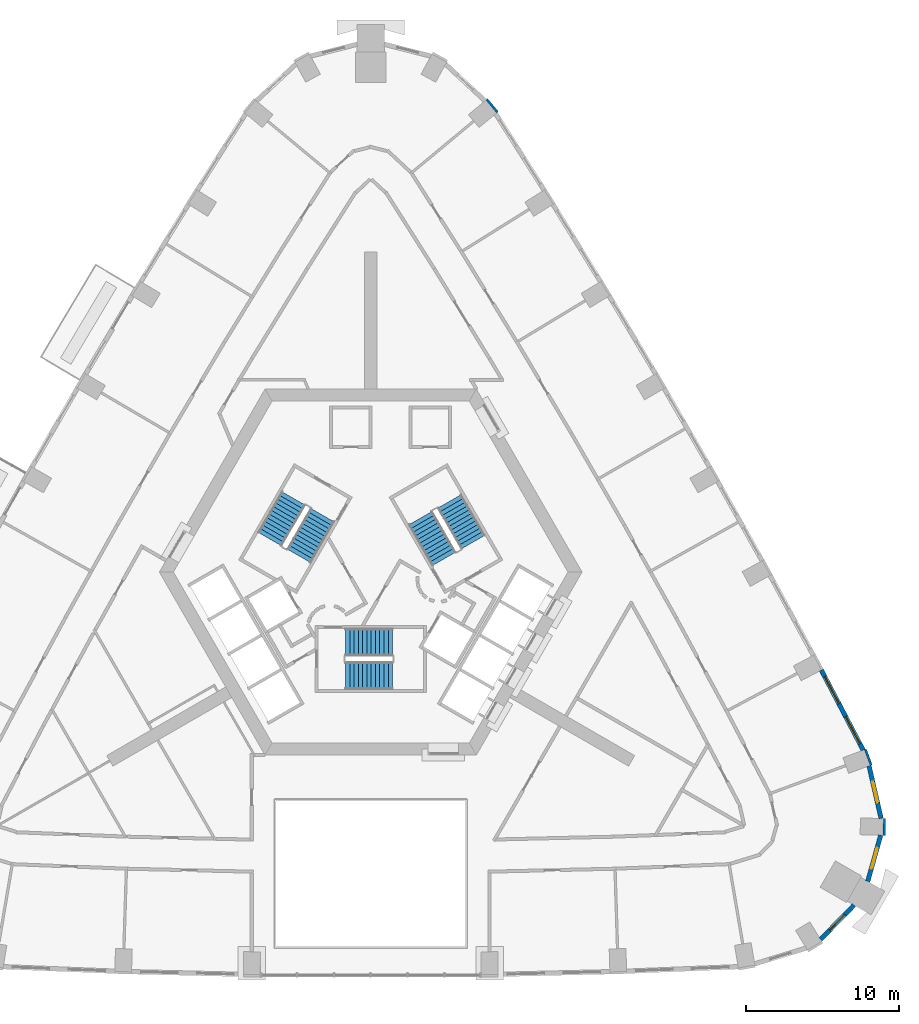
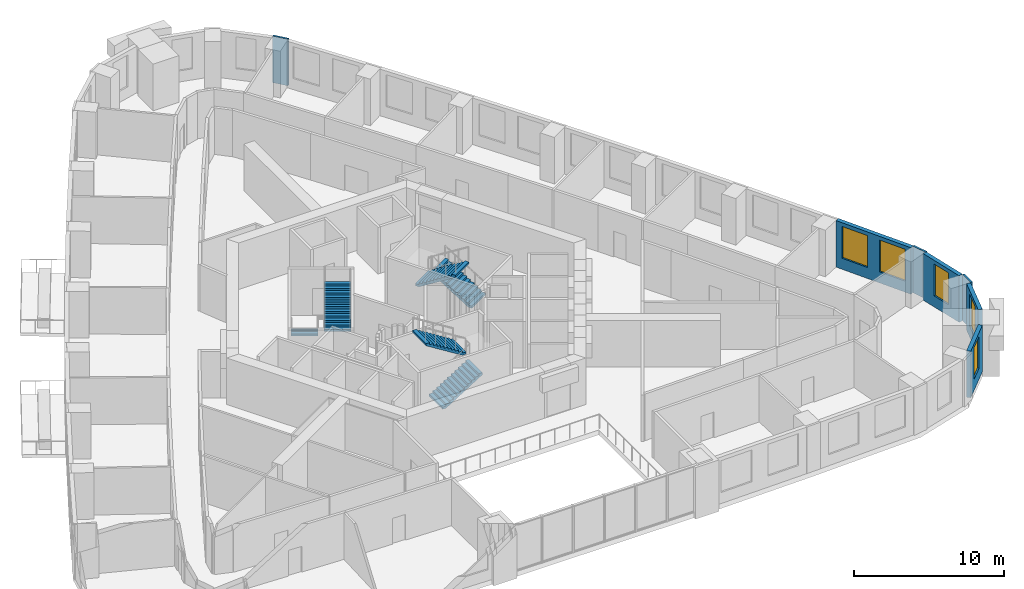
# One storey, part 11 of 14: 7 walls, 6 stair flights, 5 windows, 5 openings, 3 elements without a shape of their own.
"""IFC4 building model written with IfcOpenShell, lengths in metres."""

from ifc_helpers import new_model, si_unit, direction, frame, frame_2d, origin, place, context, subcontext, project, spatial, polyline, rectangle, outline, extrude, material, layer, layer_set, type_object, element, fill, aggregate, save


model = new_model("IFC4")

# Units and contexts
model_context = context("Model", 3, precision=1e-05, world=origin(), true_north=direction((0.0, 1.0)))
body_context = subcontext(model_context, "Body", "Model", "MODEL_VIEW")
ifc_project = project(units=[si_unit("LENGTHUNIT", "METRE"), si_unit("AREAUNIT", "SQUARE_METRE"), si_unit("VOLUMEUNIT", "CUBIC_METRE"), si_unit("PLANEANGLEUNIT", "RADIAN"), si_unit("MASSUNIT", "GRAM", prefix="KILO")], contexts=[model_context])

# Site, building, storey
site_placement = place(None, origin())
site = spatial("IfcSite", under=ifc_project, at=site_placement, CompositionType="ELEMENT")
building_placement = place(site_placement, origin())
building = spatial("IfcBuilding", under=site, at=building_placement, Name="Entoto Arch Interchange Tower", CompositionType="ELEMENT")
storey_placement = place(building_placement, frame((0.0, 0.0, 146.60009765625)))
storey = spatial("IfcBuildingStorey", under=building, at=storey_placement, Name="L32", CompositionType="ELEMENT", Elevation=146.60009765625)

# Wall, opening, window
ifc_material_1 = material(Name="Welded tuff (ignimbrite) cladding, warm buff", Category="masonry")
ifc_layer_1 = layer(ifc_material_1, 0.300048828125)
ifc_layer_set_1 = layer_set([ifc_layer_1], Name="Welded tuff (ignimbrite) cladding, warm buff")
wall_type_1 = type_object("IfcWallType", Name="STONE INFILL WALL 300", PredefinedType="STANDARD", material=ifc_layer_set_1)
wall_1_placement = place(storey_placement, frame((29.490966796875, -21.58203125, 0.0), z_axis=(0.0, 0.0, 1.0), x_axis=(0.698633260198, 0.715479956215, 0.0)))
wall_1 = element("IfcWall", 1, at=wall_1_placement, inside=storey, type_object=wall_type_1, Name="Facade wall SE-02 L32", PredefinedType="STANDARD", context=body_context, shape_type="SweptSolid", body=[
    extrude(rectangle(XDim=3.144775390625, YDim=0.300048828125, at=frame_2d((1.572265625, 0.0))), origin(), (0.0, 0.0, 1.0), 3.7998046875),
])
opening_1_placement = place(wall_1_placement, frame((0.8720703125, 0.0, 0.89990234375)))
opening_1 = element("IfcOpeningElement", 2, at=opening_1_placement, cuts=wall_1, Name="Opening WO-B", PredefinedType="OPENING", context=body_context, shape_type="SweptSolid", body=[
    extrude(rectangle(XDim=1.39990234375, YDim=2.60009765625, at=frame_2d((0.699951171875, 1.300048828125))), frame((0.0, 0.16015625, 0.0), z_axis=(0.0, -1.0, 0.0), x_axis=(1.0, 0.0, 0.0)), (0.0, 0.0, 1.0), 0.320068359375),
])
ifc_material_2 = material(Name="Clear glass, low-e double glazed", Category="glass")
window_type_1 = type_object("IfcWindowType", Name="WINDOW WO-B 1400x2600", PartitioningType="DOUBLE_PANEL_VERTICAL", PredefinedType="WINDOW", material=ifc_material_2)
window_1_placement = place(opening_1_placement, origin())
window_1 = element("IfcWindow", 3, at=window_1_placement, inside=storey, type_object=window_type_1, Name="Window WO-B SE-02 L32", OverallHeight=2.60009765625, OverallWidth=1.39990234375, PartitioningType="SINGLE_PANEL", PredefinedType="WINDOW", context=body_context, shape_type="SweptSolid", body=[
    extrude(rectangle(XDim=1.39990234375, YDim=2.60009765625, at=frame_2d((0.699951171875, 1.300048828125))), frame((0.0, 0.030029296875, 0.0), z_axis=(0.0, -1.0, 0.0), x_axis=(1.0, 0.0, 0.0)), (0.0, 0.0, 1.0), 0.06005859375),
])
fill(opening_1, window_1)

wall_2_placement = place(storey_placement, frame((32.5869140625, -17.77490234375, 0.0), z_axis=(0.0, 0.0, 1.0), x_axis=(0.270471130801, 0.962728085912, 0.0)))
wall_2 = element("IfcWall", 4, at=wall_2_placement, inside=storey, type_object=wall_type_1, Name="Facade wall SE-03 L32", PredefinedType="STANDARD", context=body_context, shape_type="SweptSolid", body=[
    extrude(rectangle(XDim=3.14306640625, YDim=0.300048828125, at=frame_2d((1.571533203125, 0.0))), origin(), (0.0, 0.0, 1.0), 3.7998046875),
])
opening_2_placement = place(wall_2_placement, frame((0.8720703125, 0.0, 0.89990234375)))
opening_2 = element("IfcOpeningElement", 5, at=opening_2_placement, cuts=wall_2, Name="Opening WO-B", PredefinedType="OPENING", context=body_context, shape_type="SweptSolid", body=[
    extrude(rectangle(XDim=1.39990234375, YDim=2.60009765625, at=frame_2d((0.699951171875, 1.300048828125))), frame((0.0, 0.16015625, 0.0), z_axis=(0.0, -1.0, 0.0), x_axis=(1.0, 0.0, 0.0)), (0.0, 0.0, 1.0), 0.320068359375),
])
window_2_placement = place(opening_2_placement, origin())
window_2 = element("IfcWindow", 6, at=window_2_placement, inside=storey, type_object=window_type_1, Name="Window WO-B SE-03 L32", OverallHeight=2.60009765625, OverallWidth=1.39990234375, PartitioningType="SINGLE_PANEL", PredefinedType="WINDOW", context=body_context, shape_type="SweptSolid", body=[
    extrude(rectangle(XDim=1.39990234375, YDim=2.60009765625, at=frame_2d((0.699951171875, 1.300048828125))), frame((0.0, 0.030029296875, 0.0), z_axis=(0.0, -1.0, 0.0), x_axis=(1.0, 0.0, 0.0)), (0.0, 0.0, 1.0), 0.06005859375),
])
fill(opening_2, window_2)

wall_3_placement = place(storey_placement, frame((33.462890625, -13.65087890625, 0.0), z_axis=(0.0, 0.0, 1.0), x_axis=(-0.223538714932, 0.974695051247, 0.0)))
wall_3 = element("IfcWall", 7, at=wall_3_placement, inside=storey, type_object=wall_type_1, Name="Facade wall SE-04 L32", PredefinedType="STANDARD", context=body_context, shape_type="SweptSolid", body=[
    extrude(rectangle(XDim=3.53759765625, YDim=0.300048828125, at=frame_2d((1.768798828125, 0.0))), origin(), (0.0, 0.0, 1.0), 3.7998046875),
])
opening_3_placement = place(wall_3_placement, frame((1.069091796875, 0.0, 0.89990234375)))
opening_3 = element("IfcOpeningElement", 8, at=opening_3_placement, cuts=wall_3, Name="Opening WO-B", PredefinedType="OPENING", context=body_context, shape_type="SweptSolid", body=[
    extrude(rectangle(XDim=1.39990234375, YDim=2.60009765625, at=frame_2d((0.699951171875, 1.300048828125))), frame((0.0, 0.16015625, 0.0), z_axis=(0.0, -1.0, 0.0), x_axis=(1.0, 0.0, 0.0)), (0.0, 0.0, 1.0), 0.320068359375),
])
window_3_placement = place(opening_3_placement, origin())
window_3 = element("IfcWindow", 9, at=window_3_placement, inside=storey, type_object=window_type_1, Name="Window WO-B SE-04 L32", OverallHeight=2.60009765625, OverallWidth=1.39990234375, PartitioningType="SINGLE_PANEL", PredefinedType="WINDOW", context=body_context, shape_type="SweptSolid", body=[
    extrude(rectangle(XDim=1.39990234375, YDim=2.60009765625, at=frame_2d((0.699951171875, 1.300048828125))), frame((0.0, 0.030029296875, 0.0), z_axis=(0.0, -1.0, 0.0), x_axis=(1.0, 0.0, 0.0)), (0.0, 0.0, 1.0), 0.06005859375),
])
fill(opening_3, window_3)

# Wall, openings, windows
wall_4_placement = place(storey_placement, frame((32.291015625, -9.173095703125, 0.0), z_axis=(0.0, 0.0, 1.0), x_axis=(-0.463809970306, 0.885934710599, 0.0)))
wall_4 = element("IfcWall", 10, at=wall_4_placement, inside=storey, type_object=wall_type_1, Name="Facade wall NE-01 L32", PredefinedType="STANDARD", context=body_context, shape_type="SweptSolid", body=[
    extrude(rectangle(XDim=5.927001953125, YDim=0.300048828125, at=frame_2d((2.96337890625, 0.0))), origin(), (0.0, 0.0, 1.0), 3.7998046875),
])
opening_4_placement = place(wall_4_placement, frame((0.48193359375, 0.0, 0.89990234375)))
opening_4 = element("IfcOpeningElement", 11, at=opening_4_placement, cuts=wall_4, Name="Opening WO-C", PredefinedType="OPENING", context=body_context, shape_type="SweptSolid", body=[
    extrude(rectangle(XDim=2.0, YDim=2.60009765625, at=frame_2d((1.0, 1.300048828125))), frame((0.0, 0.16015625, 0.0), z_axis=(0.0, -1.0, 0.0), x_axis=(1.0, 0.0, 0.0)), (0.0, 0.0, 1.0), 0.320068359375),
])
opening_5_placement = place(wall_4_placement, frame((3.445068359375, 0.0, 0.89990234375)))
opening_5 = element("IfcOpeningElement", 12, at=opening_5_placement, cuts=wall_4, Name="Opening WO-C", PredefinedType="OPENING", context=body_context, shape_type="SweptSolid", body=[
    extrude(rectangle(XDim=2.0, YDim=2.60009765625, at=frame_2d((1.0, 1.300048828125))), frame((0.0, 0.16015625, 0.0), z_axis=(0.0, -1.0, 0.0), x_axis=(1.0, 0.0, 0.0)), (0.0, 0.0, 1.0), 0.320068359375),
])
window_type_2 = type_object("IfcWindowType", Name="WINDOW WO-C 2000x2600", PartitioningType="DOUBLE_PANEL_VERTICAL", PredefinedType="WINDOW", material=ifc_material_2)
window_4_placement = place(opening_4_placement, origin())
window_4 = element("IfcWindow", 13, at=window_4_placement, inside=storey, type_object=window_type_2, Name="Window WO-C NE-01 L32", OverallHeight=2.60009765625, OverallWidth=2.0, PartitioningType="SINGLE_PANEL", PredefinedType="WINDOW", context=body_context, shape_type="SweptSolid", body=[
    extrude(rectangle(XDim=2.0, YDim=2.60009765625, at=frame_2d((1.0, 1.300048828125))), frame((0.0, 0.030029296875, 0.0), z_axis=(0.0, -1.0, 0.0), x_axis=(1.0, 0.0, 0.0)), (0.0, 0.0, 1.0), 0.06005859375),
])
fill(opening_4, window_4)
window_5_placement = place(opening_5_placement, origin())
window_5 = element("IfcWindow", 14, at=window_5_placement, inside=storey, type_object=window_type_2, Name="Window WO-C NE-01 L32", OverallHeight=2.60009765625, OverallWidth=2.0, PartitioningType="SINGLE_PANEL", PredefinedType="WINDOW", context=body_context, shape_type="SweptSolid", body=[
    extrude(rectangle(XDim=2.0, YDim=2.60009765625, at=frame_2d((1.0, 1.300048828125))), frame((0.0, 0.030029296875, 0.0), z_axis=(0.0, -1.0, 0.0), x_axis=(1.0, 0.0, 0.0)), (0.0, 0.0, 1.0), 0.06005859375),
])
fill(opening_5, window_5)

# Walls
ifc_layer_2 = layer(ifc_material_1, 0.14990234375)
ifc_layer_set_2 = layer_set([ifc_layer_2], Name="Welded tuff (ignimbrite) cladding, warm buff")
wall_type_2 = type_object("IfcWallType", Name="STONE PIER CLADDING 150", PredefinedType="STANDARD", material=ifc_layer_set_2)
wall_5_placement = place(storey_placement, frame((32.81005859375, -10.153076171875, 0.0), z_axis=(0.0, 0.0, 1.0), x_axis=(-0.346425160624, 0.93807761304, 0.0)))
element("IfcWall", 15, at=wall_5_placement, inside=storey, type_object=wall_type_2, Name="Stone pier NE01 L32", PredefinedType="STANDARD", context=body_context, shape_type="SweptSolid", body=[
    extrude(rectangle(XDim=1.10009765625, YDim=0.14990234375, at=frame_2d((0.550048828125, 0.0))), origin(), (0.0, 0.0, 1.0), 3.7998046875),
])
wall_6_placement = place(storey_placement, frame((8.31494140625, 32.64501953125, 0.0), z_axis=(0.0, 0.0, 1.0), x_axis=(-0.639070205934, 0.769148406933, 0.0)))
element("IfcWall", 16, at=wall_6_placement, inside=storey, type_object=wall_type_2, Name="Stone pier NE08 L32", PredefinedType="STANDARD", context=body_context, shape_type="SweptSolid", body=[
    extrude(rectangle(XDim=1.099853515625, YDim=0.14990234375, at=frame_2d((0.5498046875, 0.0))), origin(), (0.0, 0.0, 1.0), 3.7998046875),
])
wall_7_placement = place(storey_placement, frame((33.656982421875, -14.7548828125, 0.0), z_axis=(0.0, 0.0, 1.0), x_axis=(0.023744690764, 0.999718055084, 0.0)))
element("IfcWall", 17, at=wall_7_placement, inside=storey, type_object=wall_type_2, Name="Stone pier SE3 L32", PredefinedType="STANDARD", context=body_context, shape_type="SweptSolid", body=[
    extrude(rectangle(XDim=1.10009765625, YDim=0.14990234375, at=frame_2d((0.550048828125, 0.0))), origin(), (0.0, 0.0, 1.0), 3.7998046875),
])

# Stair, stair flights
ifc_material_3 = material(Name="Concrete C40/50", Category="concrete")
stair_type = type_object("IfcStairType", Name="EXIT STAIR RC 1800", PredefinedType="HALF_TURN_STAIR", material=ifc_material_3)
stair_1_placement = place(storey_placement, origin())
stair_1 = element("IfcStair", 18, at=stair_1_placement, inside=storey, type_object=stair_type, Name="L32 Exit stair S", PredefinedType="HALF_TURN_STAIR")
stair_flight_type = type_object("IfcStairFlightType", Name="EXIT STAIR FLIGHT RC 1800", PredefinedType="STRAIGHT", material=ifc_material_3)
stair_flight_1_placement = place(storey_placement, frame((-1.64990234375, -4.300048828125, 0.0), z_axis=(0.0, 0.0, 1.0), x_axis=(1.0, 0.0, 0.0)))
stair_flight_1 = element("IfcStairFlight", 19, at=stair_flight_1_placement, type_object=stair_flight_type, Name="ST-S flight 1", NumberOfRisers=12, NumberOfTreads=11, PredefinedType="STRAIGHT", RiserHeight=0.175, TreadLength=0.28, context=body_context, shape_type="SweptSolid", body=[
    extrude(outline(polyline([(-0.0029296875, 0.0), (-0.0029296875, 0.175048828125), (0.280029296875, 0.175048828125), (0.280029296875, 0.35009765625), (0.56005859375, 0.35009765625), (0.56005859375, 0.52490234375), (0.840087890625, 0.52490234375), (0.840087890625, 0.699951171875), (1.1201171875, 0.699951171875), (1.1201171875, 0.875), (1.39990234375, 0.875), (1.39990234375, 1.050048828125), (1.679931640625, 1.050048828125), (1.679931640625, 1.22509765625), (1.9599609375, 1.22509765625), (1.9599609375, 1.39990234375), (2.239990234375, 1.39990234375), (2.239990234375, 1.574951171875), (2.52001953125, 1.574951171875), (2.52001953125, 1.75), (2.800048828125, 1.75), (2.800048828125, 1.925048828125), (3.080078125, 1.925048828125), (3.0830078125, 1.925048828125), (3.0830078125, 1.75), (0.28271484375, 0.0), (-0.0029296875, 0.0)])), frame((0.0, 0.89990234375, 0.0), z_axis=(0.0, -1.0, 0.0), x_axis=(1.0, 0.0, 0.0)), (0.0, 0.0, 1.0), 1.800048828125),
])
stair_flight_2_placement = place(storey_placement, frame((1.429931640625, -2.10009765625, 2.099853515625), z_axis=(0.0, 0.0, 1.0), x_axis=(-1.0, 0.0, 0.0)))
stair_flight_2 = element("IfcStairFlight", 20, at=stair_flight_2_placement, type_object=stair_flight_type, Name="ST-S flight 2", NumberOfRisers=12, NumberOfTreads=11, PredefinedType="STRAIGHT", RiserHeight=0.175, TreadLength=0.28, context=body_context, shape_type="SweptSolid", body=[
    extrude(outline(polyline([(-0.0029296875, 0.0), (-0.0029296875, 0.175048828125), (0.280029296875, 0.175048828125), (0.280029296875, 0.35009765625), (0.56005859375, 0.35009765625), (0.56005859375, 0.52490234375), (0.840087890625, 0.52490234375), (0.840087890625, 0.699951171875), (1.1201171875, 0.699951171875), (1.1201171875, 0.875), (1.39990234375, 0.875), (1.39990234375, 1.050048828125), (1.679931640625, 1.050048828125), (1.679931640625, 1.22509765625), (1.9599609375, 1.22509765625), (1.9599609375, 1.39990234375), (2.239990234375, 1.39990234375), (2.239990234375, 1.574951171875), (2.52001953125, 1.574951171875), (2.52001953125, 1.75), (2.800048828125, 1.75), (2.800048828125, 1.925048828125), (3.080078125, 1.925048828125), (3.0830078125, 1.925048828125), (3.0830078125, 1.75), (0.28271484375, 0.0), (-0.0029296875, 0.0)])), frame((0.0, 0.89990234375, 0.0), z_axis=(0.0, -1.0, 0.0), x_axis=(1.0, 0.0, 0.0)), (0.0, 0.0, 1.0), 1.800048828125),
])
aggregate(stair_1, [stair_flight_1, stair_flight_2])

stair_2_placement = place(storey_placement, origin())
stair_2 = element("IfcStair", 21, at=stair_2_placement, inside=storey, type_object=stair_type, Name="L32 Exit stair NE", PredefinedType="HALF_TURN_STAIR")
stair_flight_3_placement = place(storey_placement, frame((6.7138671875, 4.470947265625, 0.0), z_axis=(0.0, 0.0, 1.0), x_axis=(-0.5, 0.866025403784, 0.0)))
stair_flight_3 = element("IfcStairFlight", 22, at=stair_flight_3_placement, type_object=stair_flight_type, Name="ST-NE flight 1", NumberOfRisers=12, NumberOfTreads=11, PredefinedType="STRAIGHT", RiserHeight=0.175, TreadLength=0.28, context=body_context, shape_type="SweptSolid", body=[
    extrude(outline(polyline([(-0.0029296875, 0.0), (-0.0029296875, 0.175048828125), (0.280029296875, 0.175048828125), (0.280029296875, 0.35009765625), (0.56005859375, 0.35009765625), (0.56005859375, 0.52490234375), (0.840087890625, 0.52490234375), (0.840087890625, 0.699951171875), (1.1201171875, 0.699951171875), (1.1201171875, 0.875), (1.39990234375, 0.875), (1.39990234375, 1.050048828125), (1.679931640625, 1.050048828125), (1.679931640625, 1.22509765625), (1.9599609375, 1.22509765625), (1.9599609375, 1.39990234375), (2.239990234375, 1.39990234375), (2.239990234375, 1.574951171875), (2.52001953125, 1.574951171875), (2.52001953125, 1.75), (2.800048828125, 1.75), (2.800048828125, 1.925048828125), (3.080078125, 1.925048828125), (3.0830078125, 1.925048828125), (3.0830078125, 1.75), (0.28271484375, 0.0), (-0.0029296875, 0.0)])), frame((0.0, 0.89990234375, 0.0), z_axis=(0.0, -1.0, 0.0), x_axis=(1.0, 0.0, 0.0)), (0.0, 0.0, 1.0), 1.800048828125),
])
stair_flight_4_placement = place(storey_placement, frame((3.268798828125, 6.038330078125, 2.099853515625), z_axis=(0.0, 0.0, 1.0), x_axis=(0.5, -0.866025403784, 0.0)))
stair_flight_4 = element("IfcStairFlight", 23, at=stair_flight_4_placement, type_object=stair_flight_type, Name="ST-NE flight 2", NumberOfRisers=12, NumberOfTreads=11, PredefinedType="STRAIGHT", RiserHeight=0.175, TreadLength=0.28, context=body_context, shape_type="SweptSolid", body=[
    extrude(outline(polyline([(-0.0029296875, 0.0), (-0.0029296875, 0.175048828125), (0.280029296875, 0.175048828125), (0.280029296875, 0.35009765625), (0.56005859375, 0.35009765625), (0.56005859375, 0.52490234375), (0.840087890625, 0.52490234375), (0.840087890625, 0.699951171875), (1.1201171875, 0.699951171875), (1.1201171875, 0.875), (1.39990234375, 0.875), (1.39990234375, 1.050048828125), (1.679931640625, 1.050048828125), (1.679931640625, 1.22509765625), (1.9599609375, 1.22509765625), (1.9599609375, 1.39990234375), (2.239990234375, 1.39990234375), (2.239990234375, 1.574951171875), (2.52001953125, 1.574951171875), (2.52001953125, 1.75), (2.800048828125, 1.75), (2.800048828125, 1.925048828125), (3.080078125, 1.925048828125), (3.0830078125, 1.925048828125), (3.0830078125, 1.75), (0.28271484375, 0.0), (-0.0029296875, 0.0)])), frame((0.0, 0.89990234375, 0.0), z_axis=(0.0, -1.0, 0.0), x_axis=(1.0, 0.0, 0.0)), (0.0, 0.0, 1.0), 1.800048828125),
])
aggregate(stair_2, [stair_flight_3, stair_flight_4])

stair_3_placement = place(storey_placement, origin())
stair_3 = element("IfcStair", 24, at=stair_3_placement, inside=storey, type_object=stair_type, Name="L32 Exit stair NW", PredefinedType="HALF_TURN_STAIR")
stair_flight_5_placement = place(storey_placement, frame((-5.06396484375, 7.328857421875, 0.0), z_axis=(0.0, 0.0, 1.0), x_axis=(-0.5, -0.866025403784, 0.0)))
stair_flight_5 = element("IfcStairFlight", 25, at=stair_flight_5_placement, type_object=stair_flight_type, Name="ST-NW flight 1", NumberOfRisers=12, NumberOfTreads=11, PredefinedType="STRAIGHT", RiserHeight=0.175, TreadLength=0.28, context=body_context, shape_type="SweptSolid", body=[
    extrude(outline(polyline([(-0.0029296875, 0.0), (-0.0029296875, 0.175048828125), (0.280029296875, 0.175048828125), (0.280029296875, 0.35009765625), (0.56005859375, 0.35009765625), (0.56005859375, 0.52490234375), (0.840087890625, 0.52490234375), (0.840087890625, 0.699951171875), (1.1201171875, 0.699951171875), (1.1201171875, 0.875), (1.39990234375, 0.875), (1.39990234375, 1.050048828125), (1.679931640625, 1.050048828125), (1.679931640625, 1.22509765625), (1.9599609375, 1.22509765625), (1.9599609375, 1.39990234375), (2.239990234375, 1.39990234375), (2.239990234375, 1.574951171875), (2.52001953125, 1.574951171875), (2.52001953125, 1.75), (2.800048828125, 1.75), (2.800048828125, 1.925048828125), (3.080078125, 1.925048828125), (3.0830078125, 1.925048828125), (3.0830078125, 1.75), (0.28271484375, 0.0), (-0.0029296875, 0.0)])), frame((0.0, 0.89990234375, 0.0), z_axis=(0.0, -1.0, 0.0), x_axis=(1.0, 0.0, 0.0)), (0.0, 0.0, 1.0), 1.800048828125),
])
stair_flight_6_placement = place(storey_placement, frame((-4.69873046875, 3.5615234375, 2.099853515625), z_axis=(0.0, 0.0, 1.0), x_axis=(0.5, 0.866025403784, 0.0)))
stair_flight_6 = element("IfcStairFlight", 26, at=stair_flight_6_placement, type_object=stair_flight_type, Name="ST-NW flight 2", NumberOfRisers=12, NumberOfTreads=11, PredefinedType="STRAIGHT", RiserHeight=0.175, TreadLength=0.28, context=body_context, shape_type="SweptSolid", body=[
    extrude(outline(polyline([(-0.0029296875, 0.0), (-0.0029296875, 0.175048828125), (0.280029296875, 0.175048828125), (0.280029296875, 0.35009765625), (0.56005859375, 0.35009765625), (0.56005859375, 0.52490234375), (0.840087890625, 0.52490234375), (0.840087890625, 0.699951171875), (1.1201171875, 0.699951171875), (1.1201171875, 0.875), (1.39990234375, 0.875), (1.39990234375, 1.050048828125), (1.679931640625, 1.050048828125), (1.679931640625, 1.22509765625), (1.9599609375, 1.22509765625), (1.9599609375, 1.39990234375), (2.239990234375, 1.39990234375), (2.239990234375, 1.574951171875), (2.52001953125, 1.574951171875), (2.52001953125, 1.75), (2.800048828125, 1.75), (2.800048828125, 1.925048828125), (3.080078125, 1.925048828125), (3.0830078125, 1.925048828125), (3.0830078125, 1.75), (0.28271484375, 0.0), (-0.0029296875, 0.0)])), frame((0.0, 0.89990234375, 0.0), z_axis=(0.0, -1.0, 0.0), x_axis=(1.0, 0.0, 0.0)), (0.0, 0.0, 1.0), 1.800048828125),
])
aggregate(stair_3, [stair_flight_5, stair_flight_6])

save(model, "model.ifc")
